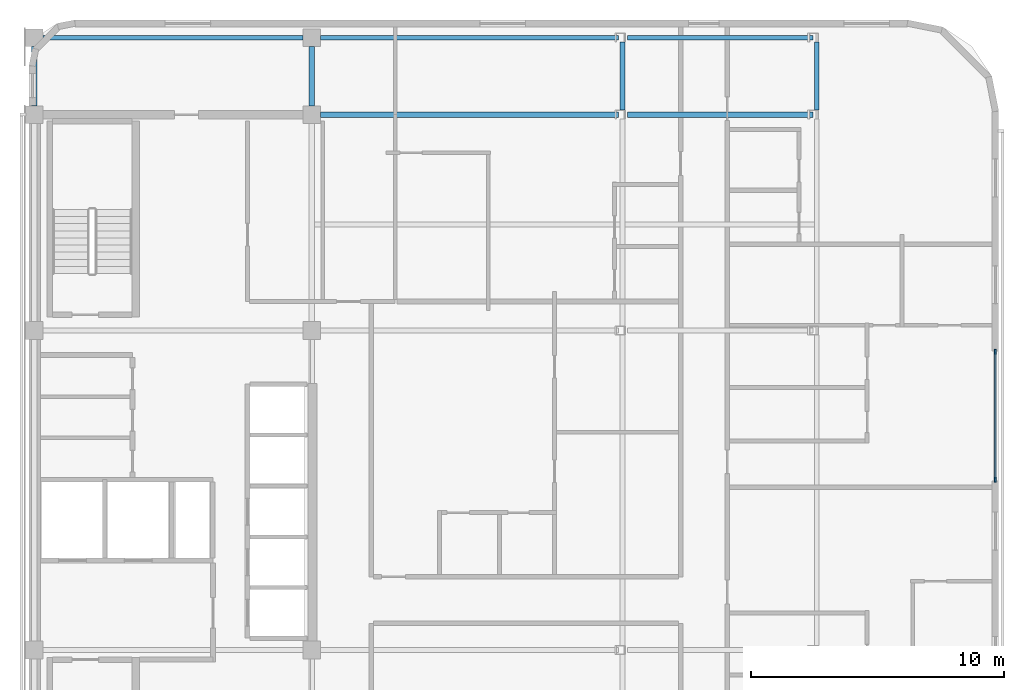
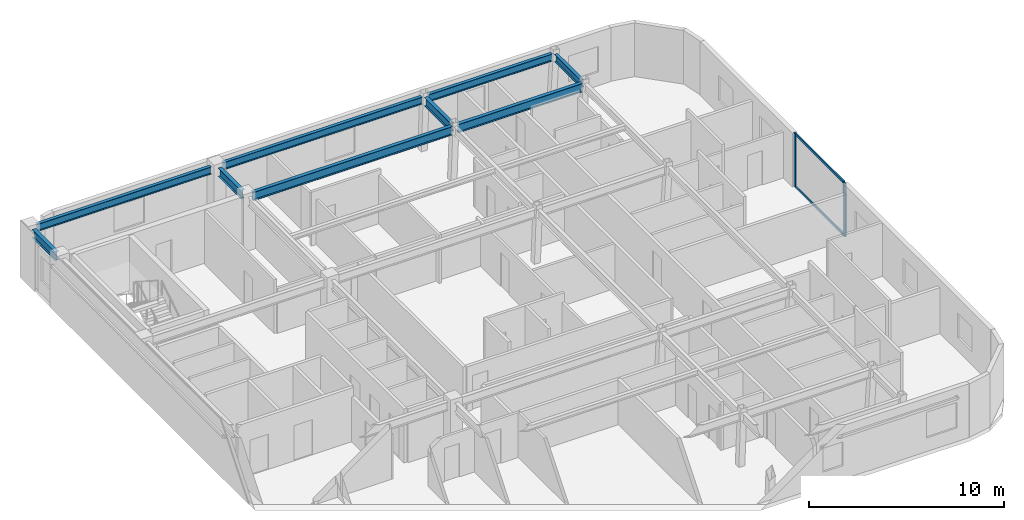
# One storey, part 2 of 10: 9 beams, 4 members, 1 element without a shape of its own.
"""IFC4 building model written with IfcOpenShell, lengths in metres."""

from ifc_helpers import new_model, si_unit, direction, frame, origin, origin_2d, place, context, subcontext, project, spatial, rectangle, i_section, extrude, material, layer, layer_set, material_profile, profile_set, type_object, element, aggregate, save


model = new_model("IFC4")

# Units and contexts
model_context = context("Model", 3, precision=1e-05, world=origin(), true_north=direction((0.0, 1.0)))
body_context = subcontext(model_context, "Body", "Model", "MODEL_VIEW")
ifc_project = project(units=[si_unit("LENGTHUNIT", "METRE"), si_unit("AREAUNIT", "SQUARE_METRE"), si_unit("VOLUMEUNIT", "CUBIC_METRE"), si_unit("PLANEANGLEUNIT", "RADIAN"), si_unit("MASSUNIT", "GRAM", prefix="KILO")], contexts=[model_context])

# Site, building, storey
site_placement = place(None, origin())
site = spatial("IfcSite", under=ifc_project, at=site_placement, CompositionType="ELEMENT")
building_placement = place(site_placement, origin())
building = spatial("IfcBuilding", under=site, at=building_placement, Name="Ochreholt Gables", CompositionType="ELEMENT")
storey_placement = place(building_placement, frame((0.0, 0.0, 213.0)))
storey = spatial("IfcBuildingStorey", under=building, at=storey_placement, Name="L55", CompositionType="ELEMENT", Elevation=213.0)

# Beams
ifc_material_1 = material(Name="Steel CSA G40.21 350W", Category="steel")
ifc_material_profile_1 = material_profile(ifc_material_1, i_section(OverallWidth=0.2109375, OverallDepth=0.5390625, WebThickness=0.01171875, FlangeThickness=0.018798828125, at=origin_2d()), Name="W530X109")
ifc_profile_set_1 = profile_set([ifc_material_profile_1], Name="Steel CSA G40.21 350W")
beam_type_1 = type_object("IfcBeamType", Name="BM-G-W530A", PredefinedType="BEAM", material=ifc_profile_set_1)
beam_1_placement = place(storey_placement, frame((35.549560546875, 38.75, 3.090576171875), z_axis=(1.0, 0.0, 0.0), x_axis=(0.0, 1.0, 0.0)))
element("IfcBeam", 1, at=beam_1_placement, inside=storey, type_object=beam_type_1, Name="L55 Beam TBG-L55-C2EM-Y5", PredefinedType="BEAM", context=body_context, shape_type="SweptSolid", body=[
    extrude(i_section(OverallWidth=0.2109375, OverallDepth=0.5390625, WebThickness=0.01171875, FlangeThickness=0.018798828125, at=origin_2d()), origin(), (0.0, 0.0, 1.0), 11.789794921875),
])
beam_2_placement = place(storey_placement, frame((47.694580078125, 38.75, 3.090576171875), z_axis=(1.0, 0.0, 0.0), x_axis=(0.0, 1.0, 0.0)))
element("IfcBeam", 2, at=beam_2_placement, inside=storey, type_object=beam_type_1, Name="L55 Beam TBG-L55-EMEE-Y5", PredefinedType="BEAM", context=body_context, shape_type="SweptSolid", body=[
    extrude(i_section(OverallWidth=0.2109375, OverallDepth=0.5390625, WebThickness=0.01171875, FlangeThickness=0.018798828125, at=origin_2d()), origin(), (0.0, 0.0, 1.0), 7.347412109375),
])
for number, where, z_axis, x_axis, name in (
    (3, (24.199951171875, 39.099609375, 3.090576171875), (0.0, 1.0, 0.0), (-1.0, 0.0, 0.0), "L55 Beam TBN-L55-C1-Y5Y6"),
    (4, (35.199951171875, 39.099609375, 3.090576171875), (0.0, 1.0, 0.0), (-1.0, 0.0, 0.0), "L55 Beam TBN-L55-C2-Y5Y6"),
):
    element("IfcBeam", number, at=place(storey_placement, frame(where, z_axis=z_axis, x_axis=x_axis)), inside=storey, type_object=beam_type_1, Name=name, PredefinedType="BEAM", context=body_context, shape_type="SweptSolid", body=[
        extrude(i_section(OverallWidth=0.2109375, OverallDepth=0.5390625, WebThickness=0.01171875, FlangeThickness=0.018798828125, at=origin_2d()), origin(), (0.0, 0.0, 1.0), 2.350830078125),
    ])
beam_3_placement = place(storey_placement, frame((47.5, 38.927490234375, 3.090576171875), z_axis=(0.0, 1.0, 0.0), x_axis=(-1.0, 0.0, 0.0)))
element("IfcBeam", 5, at=beam_3_placement, inside=storey, type_object=beam_type_1, Name="L55 Beam TBN-L55-EM-Y5Y6", PredefinedType="BEAM", context=body_context, shape_type="SweptSolid", body=[
    extrude(i_section(OverallWidth=0.2109375, OverallDepth=0.5390625, WebThickness=0.01171875, FlangeThickness=0.018798828125, at=origin_2d()), origin(), (0.0, 0.0, 1.0), 2.69482421875),
])
ifc_material_profile_2 = material_profile(ifc_material_1, i_section(OverallWidth=0.19189453125, OverallDepth=0.462890625, WebThickness=0.010498046875, FlangeThickness=0.017578125, at=origin_2d()), Name="W460X89")
ifc_profile_set_2 = profile_set([ifc_material_profile_2], Name="Steel CSA G40.21 350W")
beam_type_2 = type_object("IfcBeamType", Name="BM-SP-W460A", PredefinedType="SPANDREL", material=ifc_profile_set_2)
beam_4_placement = place(storey_placement, frame((24.549560546875, 41.800048828125, 3.12841796875), z_axis=(1.0, 0.0, 0.0), x_axis=(0.0, 1.0, 0.0)))
element("IfcBeam", 6, at=beam_4_placement, inside=storey, type_object=beam_type_2, Name="L55 Beam TBG-L55-C1C2-Y6", PredefinedType="SPANDREL", context=body_context, shape_type="SweptSolid", body=[
    extrude(i_section(OverallWidth=0.19189453125, OverallDepth=0.462890625, WebThickness=0.010498046875, FlangeThickness=0.017578125, at=origin_2d()), origin(), (0.0, 0.0, 1.0), 10.30078125),
])
beam_5_placement = place(storey_placement, frame((35.549560546875, 41.800048828125, 3.12841796875), z_axis=(1.0, 0.0, 0.0), x_axis=(0.0, 1.0, 0.0)))
element("IfcBeam", 7, at=beam_5_placement, inside=storey, type_object=beam_type_2, Name="L55 Beam TBG-L55-C2EM-Y6", PredefinedType="SPANDREL", context=body_context, shape_type="SweptSolid", body=[
    extrude(i_section(OverallWidth=0.19189453125, OverallDepth=0.462890625, WebThickness=0.010498046875, FlangeThickness=0.017578125, at=origin_2d()), origin(), (0.0, 0.0, 1.0), 11.789794921875),
])
beam_6_placement = place(storey_placement, frame((47.694580078125, 41.800048828125, 3.12841796875), z_axis=(1.0, 0.0, 0.0), x_axis=(0.0, 1.0, 0.0)))
element("IfcBeam", 8, at=beam_6_placement, inside=storey, type_object=beam_type_2, Name="L55 Beam TBG-L55-EMEE-Y6", PredefinedType="SPANDREL", context=body_context, shape_type="SweptSolid", body=[
    extrude(i_section(OverallWidth=0.19189453125, OverallDepth=0.462890625, WebThickness=0.010498046875, FlangeThickness=0.017578125, at=origin_2d()), origin(), (0.0, 0.0, 1.0), 7.347412109375),
])
beam_7_placement = place(storey_placement, frame((55.191162109375, 38.927490234375, 3.12841796875), z_axis=(0.0, 1.0, 0.0), x_axis=(-1.0, 0.0, 0.0)))
element("IfcBeam", 9, at=beam_7_placement, inside=storey, type_object=beam_type_2, Name="L55 Beam TBN-L55-EE-Y5Y6", PredefinedType="SPANDREL", context=body_context, shape_type="SweptSolid", body=[
    extrude(i_section(OverallWidth=0.19189453125, OverallDepth=0.462890625, WebThickness=0.010498046875, FlangeThickness=0.017578125, at=origin_2d()), origin(), (0.0, 0.0, 1.0), 2.69482421875),
])

# Curtain wall, members
ifc_material_2 = material(Name="Unitised Aluminium and Triple Glazing", Category="aluminium")
ifc_layer = layer(ifc_material_2, 0.2099609375, Name="Unitised Aluminium and Triple Glazing")
ifc_layer_set = layer_set([ifc_layer], Name="Unitised Aluminium and Triple Glazing")
curtain_wall_type = type_object("IfcCurtainWallType", Name="CW-SYS5", PredefinedType="NOTDEFINED", material=ifc_layer_set)
curtain_wall_placement = place(storey_placement, origin())
curtain_wall = element("IfcCurtainWall", 10, at=curtain_wall_placement, inside=storey, type_object=curtain_wall_type, Name="L55 East Unitised Curtain Wall", PredefinedType="NOTDEFINED")
ifc_material_3 = material(Name="Anodized Aluminium 6063-T6", Category="aluminium")
ifc_material_profile_3 = material_profile(ifc_material_3, rectangle(XDim=0.074951171875, YDim=0.199951171875, at=origin_2d()), Name="CWM75X200")
ifc_profile_set_3 = profile_set([ifc_material_profile_3], Name="Anodized Aluminium 6063-T6")
member_type_1 = type_object("IfcMemberType", Name="CW-MUL-A", PredefinedType="MULLION", material=ifc_profile_set_3)
member_1_placement = place(storey_placement, frame((62.264892578125, 24.28759765625, 0.0), z_axis=(0.0, 0.0, 1.0), x_axis=(-1.0, 0.0, 0.0)))
member_1 = element("IfcMember", 11, at=member_1_placement, type_object=member_type_1, Name="CW-5 mullion 1", PredefinedType="MULLION", context=body_context, shape_type="SweptSolid", body=[
    extrude(rectangle(XDim=0.074951171875, YDim=0.199951171875, at=origin_2d()), origin(), (0.0, 0.0, 1.0), 3.360107421875),
])
member_2_placement = place(storey_placement, frame((62.264892578125, 29.362548828125, 0.0), z_axis=(0.0, 0.0, 1.0), x_axis=(-1.0, 0.0, 0.0)))
member_2 = element("IfcMember", 12, at=member_2_placement, type_object=member_type_1, Name="CW-5 mullion 2", PredefinedType="MULLION", context=body_context, shape_type="SweptSolid", body=[
    extrude(rectangle(XDim=0.074951171875, YDim=0.199951171875, at=origin_2d()), origin(), (0.0, 0.0, 1.0), 3.360107421875),
])
ifc_material_profile_4 = material_profile(ifc_material_3, rectangle(XDim=0.074951171875, YDim=0.159912109375, at=origin_2d()), Name="CWT75X160")
ifc_profile_set_4 = profile_set([ifc_material_profile_4], Name="Anodized Aluminium 6063-T6")
member_type_2 = type_object("IfcMemberType", Name="CW-TRN-A", PredefinedType="USERDEFINED", material=ifc_profile_set_4)
member_3_placement = place(storey_placement, frame((62.264892578125, 24.324951171875, 0.03759765625), z_axis=(0.0, 1.0, 0.0), x_axis=(-1.0, 0.0, 0.0)))
member_3 = element("IfcMember", 13, at=member_3_placement, type_object=member_type_2, Name="CW-5 transom 1.1", ObjectType="TRANSOM", PredefinedType="USERDEFINED", context=body_context, shape_type="SweptSolid", body=[
    extrude(rectangle(XDim=0.074951171875, YDim=0.159912109375, at=origin_2d()), origin(), (0.0, 0.0, 1.0), 5.0),
])
member_4_placement = place(storey_placement, frame((62.264892578125, 24.324951171875, 3.322509765625), z_axis=(0.0, 1.0, 0.0), x_axis=(-1.0, 0.0, 0.0)))
member_4 = element("IfcMember", 14, at=member_4_placement, type_object=member_type_2, Name="CW-5 transom 1.2", ObjectType="TRANSOM", PredefinedType="USERDEFINED", context=body_context, shape_type="SweptSolid", body=[
    extrude(rectangle(XDim=0.074951171875, YDim=0.159912109375, at=origin_2d()), origin(), (0.0, 0.0, 1.0), 5.0),
])
aggregate(curtain_wall, [member_1, member_2, member_3, member_4])

save(model, "model.ifc")
